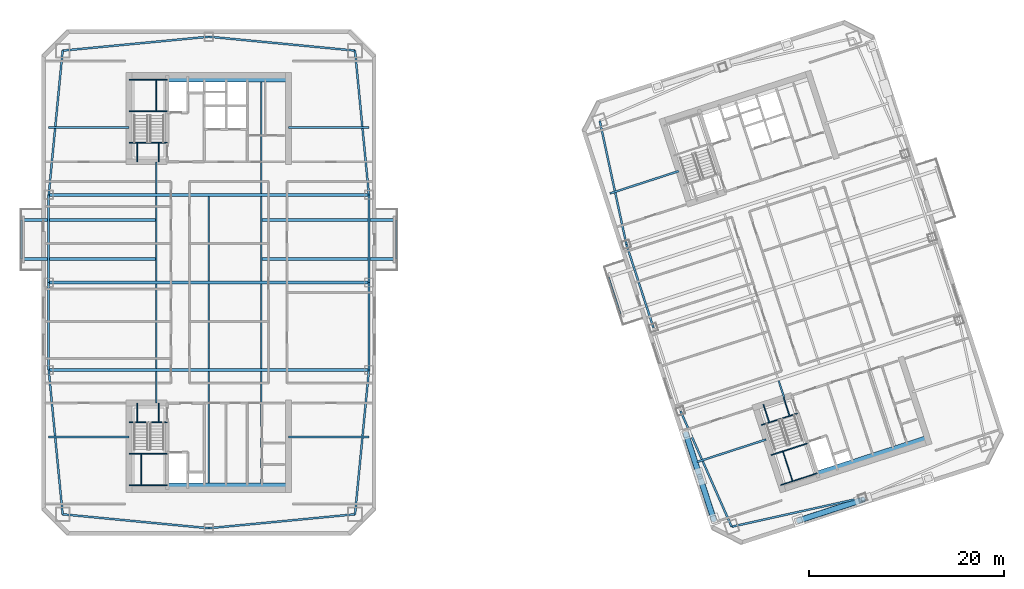
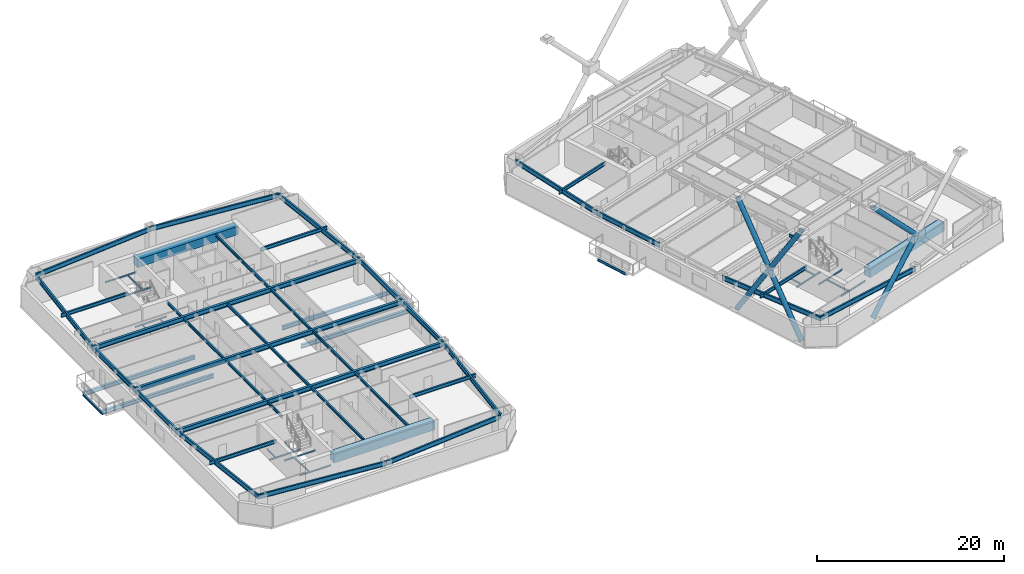
# One storey, part 3 of 17: 65 beams, 6 members.
"""IFC4 building model written with IfcOpenShell, lengths in metres."""

import ifcopenshell
import ifcopenshell.guid

model = None  # the IFC model being written
_history = None  # IfcOwnerHistory: only IFC2X3 demands one
_inside = {}  # id of a spatial element -> (the spatial element, [elements in it])
_under = {}  # id of a project, library or spatial element -> (it, [spatial elements below it])
_declared = {}  # id of a project -> (the project, [libraries it declares])
_typed = {}  # id of a type object -> (the type object, [elements of that type])
_made_of = {}  # id of a material, layer set ... -> (it, [elements and type objects made of it])


def new_model(schema):
    """Start an empty IFC model of exactly this schema.

    Asked for "IFC4X3", IfcOpenShell would pick the latest addendum, in which some entities
    have other attributes; the version numbers below select the first issue.
    IFC2X3 requires an IfcOwnerHistory on every rooted entity: one is made here for all.
    """
    global model, _history
    if schema == "IFC4X3":
        model = ifcopenshell.file(schema_version=(4, 3, 0, 0))
    else:
        model = ifcopenshell.file(schema=schema)
    _inside.clear()
    _under.clear()
    _declared.clear()
    _typed.clear()
    _made_of.clear()
    _history = None
    if model.schema == "IFC2X3":
        org = make("IfcOrganization", Name="unknown")
        user = make(
            "IfcPersonAndOrganization",
            ThePerson=make("IfcPerson", FamilyName="unknown"),
            TheOrganization=org,
        )
        app = make(
            "IfcApplication",
            ApplicationDeveloper=org,
            Version="unknown",
            ApplicationFullName="unknown",
            ApplicationIdentifier="unknown",
        )
        _history = make(
            "IfcOwnerHistory",
            OwningUser=user,
            OwningApplication=app,
            ChangeAction="ADDED",
            CreationDate=0,
        )
    return model


def make(cls, **values):
    """One entity of the class cls with the attributes given. An attribute that is None is left unset."""
    return model.create_entity(
        cls, **{name: value for name, value in values.items() if value is not None}
    )


def rooted(cls, **values):
    """An entity with a GlobalId (a new one), such as an element, a storey or a relation."""
    return make(cls, GlobalId=ifcopenshell.guid.new(), OwnerHistory=_history, **values)


def si_unit(unit_type, name, prefix=None):
    """IfcSIUnit, for example si_unit("LENGTHUNIT", "METRE", prefix="MILLI")."""
    return make("IfcSIUnit", UnitType=unit_type, Prefix=prefix, Name=name)


def assignment(units):
    """IfcUnitAssignment: the units of a project."""
    return None if units is None else make("IfcUnitAssignment", Units=units)


def point(xyz):
    """IfcCartesianPoint."""
    return None if xyz is None else make("IfcCartesianPoint", Coordinates=xyz)


def direction(xyz):
    """IfcDirection."""
    return None if xyz is None else make("IfcDirection", DirectionRatios=xyz)


def frame(location, z_axis=None, x_axis=None):
    """IfcAxis2Placement3D, a coordinate frame: its origin and axes. An axis left out is left unset."""
    return make(
        "IfcAxis2Placement3D",
        Location=point(location),
        Axis=direction(z_axis),
        RefDirection=direction(x_axis),
    )


def frame_2d(location, x_axis=None):
    """IfcAxis2Placement2D, a coordinate frame in the plane: its origin and x axis."""
    return make(
        "IfcAxis2Placement2D", Location=point(location), RefDirection=direction(x_axis)
    )


def origin():
    """The frame at (0, 0, 0) with its axes left unset."""
    return frame((0.0, 0.0, 0.0))


def origin_2d():
    """The frame at (0, 0) in the plane with its x axis left unset."""
    return frame_2d((0.0, 0.0))


def place(relative_to, where):
    """IfcLocalPlacement: puts the frame where relative to a parent placement (None: the world)."""
    return make(
        "IfcLocalPlacement", PlacementRelTo=relative_to, RelativePlacement=where
    )


def context(
    kind, dimensions, precision=None, world=None, true_north=None, identifier=None
):
    """IfcGeometricRepresentationContext, for example the 3D "Model" context."""
    return make(
        "IfcGeometricRepresentationContext",
        ContextIdentifier=identifier,
        ContextType=kind,
        CoordinateSpaceDimension=dimensions,
        Precision=precision,
        WorldCoordinateSystem=world,
        TrueNorth=true_north,
    )


def subcontext(parent, identifier, kind, view, scale=None):
    """IfcGeometricRepresentationSubContext, for example "Body" below "Model"."""
    return make(
        "IfcGeometricRepresentationSubContext",
        ContextIdentifier=identifier,
        ContextType=kind,
        ParentContext=parent,
        TargetScale=scale,
        TargetView=view,
    )


def project(units=None, contexts=None):
    """IfcProject with its units and contexts."""
    return rooted(
        "IfcProject",
        Name="project",
        RepresentationContexts=contexts,
        UnitsInContext=assignment(units),
    )


def spatial(cls, under=None, at=None, **own):
    """A site, building, storey or space (cls), placed at a placement, below another one or the project."""
    s = rooted(cls, ObjectPlacement=at, **own)
    if under is not None:
        _under.setdefault(under.id(), (under, []))[1].append(s)
    return s


def profile(cls, at=None, kind="AREA", **sizes):
    """A parametric profile (cls). Its sizes go by their IFC names, for example OverallWidth=200.0."""
    return make(cls, ProfileType=kind, Position=at, **sizes)


def rectangle(**sizes):
    """IfcRectangleProfileDef."""
    return profile("IfcRectangleProfileDef", **sizes)


def hollow_circle(**sizes):
    """IfcCircleHollowProfileDef."""
    return profile("IfcCircleHollowProfileDef", **sizes)


def i_section(**sizes):
    """IfcIShapeProfileDef."""
    return profile("IfcIShapeProfileDef", **sizes)


def extrude(swept, where, along, depth):
    """IfcExtrudedAreaSolid: the profile swept, set in the frame where, extruded along a direction by depth."""
    return make(
        "IfcExtrudedAreaSolid",
        SweptArea=swept,
        Position=where,
        ExtrudedDirection=direction(along),
        Depth=depth,
    )


def shape(context_of_items, identifier, shape_type, items):
    """IfcShapeRepresentation: the items that make up one representation, for example the "Body"."""
    return make(
        "IfcShapeRepresentation",
        ContextOfItems=context_of_items,
        RepresentationIdentifier=identifier,
        RepresentationType=shape_type,
        Items=items,
    )


def material(Name=None, Category=None):
    """IfcMaterial."""
    return make("IfcMaterial", Name=Name, Category=Category)


def material_profile(
    of_material, cross_section, Name=None, Category=None, Priority=None
):
    """IfcMaterialProfile: a cross section and its material."""
    return make(
        "IfcMaterialProfile",
        Name=Name,
        Material=of_material,
        Profile=cross_section,
        Priority=Priority,
        Category=Category,
    )


def profile_set(profiles, Name=None, composite=None):
    """IfcMaterialProfileSet."""
    return make(
        "IfcMaterialProfileSet",
        Name=Name,
        MaterialProfiles=profiles,
        CompositeProfile=composite,
    )


def made_of(thing, what):
    """Note that an element or type object is made of a material, layer set ...; save() writes the relation."""
    if what is not None:
        _made_of.setdefault(what.id(), (what, []))[1].append(thing)
    return thing


def type_object(cls, material=None, **own):
    """A type object (cls), such as IfcWallType, which elements share."""
    return made_of(rooted(cls, **own), material)


def element(
    cls,
    number,
    at=None,
    inside=None,
    cuts=None,
    type_object=None,
    material=None,
    context=None,
    identifier="Body",
    shape_type=None,
    held_by="IfcProductDefinitionShape",
    body=None,
    shapes=None,
    **own,
):
    """One element of the class cls, such as IfcWall. Its Tag is "e" and its number.

    at: its placement. inside: the storey or other place that contains it. cuts: it is an
    opening in that element (IfcRelVoidsElement). A single representation is given by context,
    identifier, shape_type and body (its items); several are given by shapes. held_by: the class
    of the entity that holds the representations. save() writes the other relations.
    """
    e = rooted(cls, Tag="e%d" % number, ObjectPlacement=at, **own)
    if body is not None:
        shapes = [shape(context, identifier, shape_type, body)]
    if shapes is not None:
        e.Representation = make(held_by, Representations=shapes)
    if inside is not None:
        _inside.setdefault(inside.id(), (inside, []))[1].append(e)
    if cuts is not None:
        rooted(
            "IfcRelVoidsElement", RelatingBuildingElement=cuts, RelatedOpeningElement=e
        )
    if type_object is not None:
        _typed.setdefault(type_object.id(), (type_object, []))[1].append(e)
    return made_of(e, material)


def aggregate(whole, parts):
    """IfcRelAggregates: a whole, such as a stair, and the parts it consists of."""
    return rooted("IfcRelAggregates", RelatingObject=whole, RelatedObjects=parts)


def save(model, path):
    """Write the relations noted so far, then the file.

    IfcRelAggregates (storeys below a building ...), IfcRelContainedInSpatialStructure (elements
    in a storey), IfcRelDefinesByType, IfcRelAssociatesMaterial and IfcRelDeclares: one each for
    every whole, place, type object, material and project.
    """
    for whole, parts in _under.values():
        aggregate(whole, parts)
    for where, things in _inside.values():
        rooted(
            "IfcRelContainedInSpatialStructure",
            RelatedElements=things,
            RelatingStructure=where,
        )
    for kind, things in _typed.values():
        rooted("IfcRelDefinesByType", RelatedObjects=things, RelatingType=kind)
    for what, things in _made_of.values():
        rooted("IfcRelAssociatesMaterial", RelatedObjects=things, RelatingMaterial=what)
    for by, libraries in _declared.values():
        rooted("IfcRelDeclares", RelatingContext=by, RelatedDefinitions=libraries)
    model.write(path)


model = new_model("IFC4")

# Units and contexts
model_context = context("Model", 3, precision=1e-05, world=origin(), true_north=direction((0.0, 1.0)))
body_context = subcontext(model_context, "Body", "Model", "MODEL_VIEW")
ifc_project = project(units=[si_unit("LENGTHUNIT", "METRE"), si_unit("AREAUNIT", "SQUARE_METRE"), si_unit("VOLUMEUNIT", "CUBIC_METRE"), si_unit("PLANEANGLEUNIT", "RADIAN"), si_unit("MASSUNIT", "GRAM", prefix="KILO")], contexts=[model_context])

# Site, building, storey
site_placement = place(None, origin())
site = spatial("IfcSite", under=ifc_project, at=site_placement, CompositionType="ELEMENT")
building_placement = place(site_placement, origin())
building = spatial("IfcBuilding", under=site, at=building_placement, Name="Qiaolan Cultural Towers", CompositionType="ELEMENT")
storey_placement = place(building_placement, frame((0.0, 0.0, 177.10009765625)))
storey = spatial("IfcBuildingStorey", under=building, at=storey_placement, Name="L47", CompositionType="ELEMENT", Elevation=177.10009765625)

# Beams
ifc_material_1 = material(Name="Steel Q355B", Category="steel")
ifc_material_profile_1 = material_profile(ifc_material_1, i_section(OverallWidth=0.300048828125, OverallDepth=0.488037109375, WebThickness=0.010986328125, FlangeThickness=0.01806640625, at=origin_2d()), Name="HM488x300x11x18")
ifc_profile_set_1 = profile_set([ifc_material_profile_1], Name="Steel Q355B")
beam_type_1 = type_object("IfcBeamType", Name="BM-HM488x300x11x18", PredefinedType="BEAM", material=ifc_profile_set_1)
for number, where, z_axis, x_axis, name in (
    (1, (24.60009765625, 36.39990234375, -0.524169921875), (-1.0, 0.0, 0.0), (0.0, -1.0, 0.0), "L47 T1 Tree Balcony Back-Spanned Bracket Beam"),
    (2, (24.60009765625, 40.39990234375, -0.524169921875), (-1.0, 0.0, 0.0), (0.0, -1.0, 0.0), "L47 T1 Tree Balcony Back-Spanned Bracket Beam"),
    (3, (35.39990234375, 36.39990234375, -0.524169921875), (1.0, 0.0, 0.0), (0.0, 1.0, 0.0), "L47 T1 Tree Balcony Back-Spanned Bracket Beam"),
    (4, (35.39990234375, 40.39990234375, -0.524169921875), (1.0, 0.0, 0.0), (0.0, 1.0, 0.0), "L47 T1 Tree Balcony Back-Spanned Bracket Beam"),
):
    element("IfcBeam", number, at=place(storey_placement, frame(where, z_axis=z_axis, x_axis=x_axis)), inside=storey, type_object=beam_type_1, Name=name, PredefinedType="BEAM", context=body_context, shape_type="SweptSolid", body=[
        extrude(i_section(OverallWidth=0.300048828125, OverallDepth=0.488037109375, WebThickness=0.010986328125, FlangeThickness=0.01806640625, at=origin_2d()), origin(), (0.0, 0.0, 1.0), 13.85009765625),
    ])
ifc_material_2 = material(Name="Steel Q355B", Category="steel")
ifc_material_profile_2 = material_profile(ifc_material_2, i_section(OverallWidth=0.300048828125, OverallDepth=0.587890625, WebThickness=0.011962890625, FlangeThickness=0.02001953125, at=origin_2d()), Name="HM588x300x12x20")
ifc_profile_set_2 = profile_set([ifc_material_profile_2], Name="Steel Q355B")
beam_type_2 = type_object("IfcBeamType", Name="BM-HM588x300x12x20", PredefinedType="BEAM", material=ifc_profile_set_2)
for number, where, z_axis, x_axis, name in (
    (5, (13.550048828125, 25.0, 2.89599609375), (1.0, 0.0, 0.0), (0.0, 1.0, 0.0), "L47 T1 Primary Transverse Girder V1"),
    (6, (13.550048828125, 34.0, 2.89599609375), (1.0, 0.0, 0.0), (0.0, 1.0, 0.0), "L47 T1 Primary Transverse Girder V2"),
    (7, (13.550048828125, 43.0, 2.89599609375), (1.0, 0.0, 0.0), (0.0, 1.0, 0.0), "L47 T1 Primary Transverse Girder V3"),
):
    element("IfcBeam", number, at=place(storey_placement, frame(where, z_axis=z_axis, x_axis=x_axis)), inside=storey, type_object=beam_type_2, Name=name, PredefinedType="BEAM", context=body_context, shape_type="SweptSolid", body=[
        extrude(i_section(OverallWidth=0.300048828125, OverallDepth=0.587890625, WebThickness=0.011962890625, FlangeThickness=0.02001953125, at=origin_2d()), origin(), (0.0, 0.0, 1.0), 32.89990234375),
    ])
ifc_material_3 = material(Name="Steel Q355B", Category="steel")
ifc_material_profile_3 = material_profile(ifc_material_3, i_section(OverallWidth=0.175048828125, OverallDepth=0.35009765625, WebThickness=0.007080078125, FlangeThickness=0.010986328125, at=origin_2d()), Name="HN350x175x7x11")
ifc_profile_set_3 = profile_set([ifc_material_profile_3], Name="Steel Q355B")
beam_type_3 = type_object("IfcBeamType", Name="BM-JST-HN350x175x7x11", PredefinedType="JOIST", material=ifc_profile_set_3)
for number, where, z_axis, x_axis, name in (
    (8, (10.75, 36.39990234375, -0.524169921875), (0.0, 1.0, 0.0), (-1.0, 0.0, 0.0), "L47 T1 Tree Balcony Outer Edge Beam"),
    (9, (49.25, 36.39990234375, -0.524169921875), (0.0, 1.0, 0.0), (-1.0, 0.0, 0.0), "L47 T1 Tree Balcony Outer Edge Beam"),
    (10, (72.281982421875, 30.7666015625, -0.524169921875), (-0.309022586479, 0.951054699292, 0.0), (-0.951054699292, -0.309022586479, 0.0), "L47 T2 Tree Balcony Outer Edge Beam"),
):
    element("IfcBeam", number, at=place(storey_placement, frame(where, z_axis=z_axis, x_axis=x_axis)), inside=storey, type_object=beam_type_3, Name=name, PredefinedType="JOIST", context=body_context, shape_type="SweptSolid", body=[
        extrude(i_section(OverallWidth=0.175048828125, OverallDepth=0.35009765625, WebThickness=0.007080078125, FlangeThickness=0.010986328125, at=origin_2d()), origin(), (0.0, 0.0, 1.0), 4.0),
    ])
beam_1_placement = place(storey_placement, frame((24.60009765625, 21.60009765625, 3.014892578125), z_axis=(0.0, 1.0, 0.0), x_axis=(-1.0, 0.0, 0.0)))
element("IfcBeam", 11, at=beam_1_placement, inside=storey, type_object=beam_type_3, Name="L47 T1 Secondary Floor Joist U1-1", PredefinedType="JOIST", context=body_context, shape_type="SweptSolid", body=[
    extrude(i_section(OverallWidth=0.175048828125, OverallDepth=0.35009765625, WebThickness=0.007080078125, FlangeThickness=0.010986328125, at=origin_2d()), origin(), (0.0, 0.0, 1.0), 3.25),
])
for number, where, z_axis, x_axis, name in (
    (12, (24.60009765625, 25.14990234375, 3.014892578125), (0.0, 1.0, 0.0), (-1.0, 0.0, 0.0), "L47 T1 Secondary Floor Joist U1-2"),
    (13, (24.60009765625, 34.14990234375, 3.014892578125), (0.0, 1.0, 0.0), (-1.0, 0.0, 0.0), "L47 T1 Secondary Floor Joist U1-3"),
):
    element("IfcBeam", number, at=place(storey_placement, frame(where, z_axis=z_axis, x_axis=x_axis)), inside=storey, type_object=beam_type_3, Name=name, PredefinedType="JOIST", context=body_context, shape_type="SweptSolid", body=[
        extrude(i_section(OverallWidth=0.175048828125, OverallDepth=0.35009765625, WebThickness=0.007080078125, FlangeThickness=0.010986328125, at=origin_2d()), origin(), (0.0, 0.0, 1.0), 8.7001953125),
    ])
beam_2_placement = place(storey_placement, frame((24.60009765625, 43.14990234375, 3.014892578125), z_axis=(0.0, 1.0, 0.0), x_axis=(-1.0, 0.0, 0.0)))
element("IfcBeam", 14, at=beam_2_placement, inside=storey, type_object=beam_type_3, Name="L47 T1 Secondary Floor Joist U1-4", PredefinedType="JOIST", context=body_context, shape_type="SweptSolid", body=[
    extrude(i_section(OverallWidth=0.175048828125, OverallDepth=0.35009765625, WebThickness=0.007080078125, FlangeThickness=0.010986328125, at=origin_2d()), origin(), (0.0, 0.0, 1.0), 3.25),
])
beam_3_placement = place(storey_placement, frame((30.0, 13.39990234375, 3.014892578125), z_axis=(0.0, 1.0, 0.0), x_axis=(-1.0, 0.0, 0.0)))
element("IfcBeam", 15, at=beam_3_placement, inside=storey, type_object=beam_type_3, Name="L47 T1 Secondary Floor Joist U2-1", PredefinedType="JOIST", context=body_context, shape_type="SweptSolid", body=[
    extrude(i_section(OverallWidth=0.175048828125, OverallDepth=0.35009765625, WebThickness=0.007080078125, FlangeThickness=0.010986328125, at=origin_2d()), origin(), (0.0, 0.0, 1.0), 11.4501953125),
])
for number, where, z_axis, x_axis, name in (
    (16, (30.0, 25.14990234375, 3.014892578125), (0.0, 1.0, 0.0), (-1.0, 0.0, 0.0), "L47 T1 Secondary Floor Joist U2-2"),
    (17, (30.0, 34.14990234375, 3.014892578125), (0.0, 1.0, 0.0), (-1.0, 0.0, 0.0), "L47 T1 Secondary Floor Joist U2-3"),
):
    element("IfcBeam", number, at=place(storey_placement, frame(where, z_axis=z_axis, x_axis=x_axis)), inside=storey, type_object=beam_type_3, Name=name, PredefinedType="JOIST", context=body_context, shape_type="SweptSolid", body=[
        extrude(i_section(OverallWidth=0.175048828125, OverallDepth=0.35009765625, WebThickness=0.007080078125, FlangeThickness=0.010986328125, at=origin_2d()), origin(), (0.0, 0.0, 1.0), 8.7001953125),
    ])
beam_4_placement = place(storey_placement, frame((35.39990234375, 13.39990234375, 3.014892578125), z_axis=(0.0, 1.0, 0.0), x_axis=(-1.0, 0.0, 0.0)))
element("IfcBeam", 18, at=beam_4_placement, inside=storey, type_object=beam_type_3, Name="L47 T1 Secondary Floor Joist U3-1", PredefinedType="JOIST", context=body_context, shape_type="SweptSolid", body=[
    extrude(i_section(OverallWidth=0.175048828125, OverallDepth=0.35009765625, WebThickness=0.007080078125, FlangeThickness=0.010986328125, at=origin_2d()), origin(), (0.0, 0.0, 1.0), 11.4501953125),
])
for number, where, z_axis, x_axis, name in (
    (19, (35.39990234375, 25.14990234375, 3.014892578125), (0.0, 1.0, 0.0), (-1.0, 0.0, 0.0), "L47 T1 Secondary Floor Joist U3-2"),
    (20, (35.39990234375, 34.14990234375, 3.014892578125), (0.0, 1.0, 0.0), (-1.0, 0.0, 0.0), "L47 T1 Secondary Floor Joist U3-3"),
):
    element("IfcBeam", number, at=place(storey_placement, frame(where, z_axis=z_axis, x_axis=x_axis)), inside=storey, type_object=beam_type_3, Name=name, PredefinedType="JOIST", context=body_context, shape_type="SweptSolid", body=[
        extrude(i_section(OverallWidth=0.175048828125, OverallDepth=0.35009765625, WebThickness=0.007080078125, FlangeThickness=0.010986328125, at=origin_2d()), origin(), (0.0, 0.0, 1.0), 8.7001953125),
    ])
beam_5_placement = place(storey_placement, frame((35.39990234375, 43.14990234375, 3.014892578125), z_axis=(0.0, 1.0, 0.0), x_axis=(-1.0, 0.0, 0.0)))
element("IfcBeam", 21, at=beam_5_placement, inside=storey, type_object=beam_type_3, Name="L47 T1 Secondary Floor Joist U3-4", PredefinedType="JOIST", context=body_context, shape_type="SweptSolid", body=[
    extrude(i_section(OverallWidth=0.175048828125, OverallDepth=0.35009765625, WebThickness=0.007080078125, FlangeThickness=0.010986328125, at=origin_2d()), origin(), (0.0, 0.0, 1.0), 11.4501953125),
])
beam_6_placement = place(storey_placement, frame((89.119384765625, 22.147705078125, 3.014892578125), z_axis=(-0.308933885266, 0.951083516067, 0.0), x_axis=(-0.951083516067, -0.308933885266, 0.0)))
element("IfcBeam", 22, at=beam_6_placement, inside=storey, type_object=beam_type_3, Name="L47 T2 Secondary Floor Joist U1-1", PredefinedType="JOIST", context=body_context, shape_type="SweptSolid", body=[
    extrude(i_section(OverallWidth=0.175048828125, OverallDepth=0.35009765625, WebThickness=0.007080078125, FlangeThickness=0.010986328125, at=origin_2d()), origin(), (0.0, 0.0, 1.0), 1.85009765625),
])
ifc_material_4 = material(Name="Steel Q355B", Category="steel")
ifc_material_profile_4 = material_profile(ifc_material_4, i_section(OverallWidth=0.199951171875, OverallDepth=0.449951171875, WebThickness=0.009033203125, FlangeThickness=0.013916015625, at=origin_2d()), Name="HN450x200x9x14")
ifc_profile_set_4 = profile_set([ifc_material_profile_4], Name="Steel Q355B")
beam_type_4 = type_object("IfcBeamType", Name="BM-LNT-HN450x200x9x14", PredefinedType="LINTEL", material=ifc_profile_set_4)
for number, where, z_axis, x_axis, name in (
    (23, (21.800048828125, 18.10009765625, 2.96484375), (-1.0, 0.0, 0.0), (0.0, -1.0, 0.0), "L47 T1 Core Flank Tie Lintel WS"),
    (24, (21.800048828125, 49.89990234375, 2.96484375), (-1.0, 0.0, 0.0), (0.0, -1.0, 0.0), "L47 T1 Core Flank Tie Lintel WN"),
    (25, (38.199951171875, 18.10009765625, 2.96484375), (1.0, 0.0, 0.0), (0.0, 1.0, 0.0), "L47 T1 Core Flank Tie Lintel ES"),
    (26, (38.199951171875, 49.89990234375, 2.96484375), (1.0, 0.0, 0.0), (0.0, 1.0, 0.0), "L47 T1 Core Flank Tie Lintel EN"),
):
    element("IfcBeam", number, at=place(storey_placement, frame(where, z_axis=z_axis, x_axis=x_axis)), inside=storey, type_object=beam_type_4, Name=name, PredefinedType="LINTEL", context=body_context, shape_type="SweptSolid", body=[
        extrude(i_section(OverallWidth=0.199951171875, OverallDepth=0.449951171875, WebThickness=0.009033203125, FlangeThickness=0.013916015625, at=origin_2d()), origin(), (0.0, 0.0, 1.0), 8.25),
    ])
beam_7_placement = place(storey_placement, frame((87.252685546875, 17.861083984375, 2.96484375), z_axis=(-0.951064407856, -0.308992705592, 0.0), x_axis=(0.308992705592, -0.951064407856, 0.0)))
element("IfcBeam", 27, at=beam_7_placement, inside=storey, type_object=beam_type_4, Name="L47 T2 Core Flank Tie Lintel WS", PredefinedType="LINTEL", context=body_context, shape_type="SweptSolid", body=[
    extrude(i_section(OverallWidth=0.199951171875, OverallDepth=0.449951171875, WebThickness=0.009033203125, FlangeThickness=0.013916015625, at=origin_2d()), origin(), (0.0, 0.0, 1.0), 7.449951171875),
])
beam_8_placement = place(storey_placement, frame((78.291259765625, 45.44189453125, 2.96484375), z_axis=(-0.951054777171, -0.309022346796, 0.0), x_axis=(0.309022346796, -0.951054777171, 0.0)))
element("IfcBeam", 28, at=beam_8_placement, inside=storey, type_object=beam_type_4, Name="L47 T2 Core Flank Tie Lintel WN", PredefinedType="LINTEL", context=body_context, shape_type="SweptSolid", body=[
    extrude(i_section(OverallWidth=0.199951171875, OverallDepth=0.449951171875, WebThickness=0.009033203125, FlangeThickness=0.013916015625, at=origin_2d()), origin(), (0.0, 0.0, 1.0), 7.4501953125),
])
ifc_material_5 = material(Name="Concrete C50", Category="concrete")
ifc_material_profile_5 = material_profile(ifc_material_5, rectangle(XDim=0.89990234375, YDim=1.10009765625, at=origin_2d()), Name="RC900x1100")
ifc_profile_set_5 = profile_set([ifc_material_profile_5], Name="Concrete C50")
beam_type_5 = type_object("IfcBeamType", Name="BM-RC900x1100", PredefinedType="BEAM", material=ifc_profile_set_5)
for number, where, z_axis, x_axis, name in (
    (29, (25.719970703125, 12.949951171875, 2.639892578125), (1.0, 0.0, 0.0), (0.0, 1.0, 0.0), "L47 T1 Core Header Girder S"),
    (30, (25.719970703125, 55.050048828125, 2.639892578125), (1.0, 0.0, 0.0), (0.0, 1.0, 0.0), "L47 T1 Core Header Girder N"),
):
    element("IfcBeam", number, at=place(storey_placement, frame(where, z_axis=z_axis, x_axis=x_axis)), inside=storey, type_object=beam_type_5, Name=name, PredefinedType="BEAM", context=body_context, shape_type="SweptSolid", body=[
        extrude(rectangle(XDim=0.89990234375, YDim=1.10009765625, at=origin_2d()), origin(), (0.0, 0.0, 1.0), 12.47998046875),
    ])
beam_9_placement = place(storey_placement, frame((92.572265625, 14.174560546875, 2.639892578125), z_axis=(0.951056266386, 0.309017763514, 0.0), x_axis=(-0.309017763514, 0.951056266386, 0.0)))
element("IfcBeam", 31, at=beam_9_placement, inside=storey, type_object=beam_type_5, Name="L47 T2 Core Header Girder S", PredefinedType="BEAM", context=body_context, shape_type="SweptSolid", body=[
    extrude(rectangle(XDim=0.89990234375, YDim=1.10009765625, at=origin_2d()), origin(), (0.0, 0.0, 1.0), 11.880126953125),
])
ifc_material_6 = material(Name="Steel Q355B", Category="steel")
ifc_material_profile_6 = material_profile(ifc_material_6, i_section(OverallWidth=0.199951171875, OverallDepth=0.60009765625, WebThickness=0.010986328125, FlangeThickness=0.01708984375, at=origin_2d()), Name="HN600x200x11x17")
ifc_profile_set_6 = profile_set([ifc_material_profile_6], Name="Steel Q355B")
beam_type_6 = type_object("IfcBeamType", Name="BM-SPD-HN600x200x11x17", PredefinedType="SPANDREL", material=ifc_profile_set_6)
for number, where, z_axis, x_axis, name in (
    (32, (14.97998046875, 10.179931640625, 2.889892578125), (0.995498889995, -0.094773203061, 0.0), (0.094773203061, 0.995498889995, 0.0), "L47 T1 Perimeter Spandrel Beam 1"),
    (33, (30.0, 8.75, 2.889892578125), (0.995498889995, 0.094773203061, 0.0), (-0.094773203061, 0.995498889995, 0.0), "L47 T1 Perimeter Spandrel Beam 2"),
):
    element("IfcBeam", number, at=place(storey_placement, frame(where, z_axis=z_axis, x_axis=x_axis)), inside=storey, type_object=beam_type_6, Name=name, PredefinedType="SPANDREL", context=body_context, shape_type="SweptSolid", body=[
        extrude(i_section(OverallWidth=0.199951171875, OverallDepth=0.60009765625, WebThickness=0.010986328125, FlangeThickness=0.01708984375, at=origin_2d()), origin(), (0.0, 0.0, 1.0), 15.087890625),
    ])
beam_10_placement = place(storey_placement, frame((45.02001953125, 10.179931640625, 2.889892578125), z_axis=(0.096040159186, 0.995377459974, 0.0), x_axis=(-0.995377459974, 0.096040159186, 0.0)))
element("IfcBeam", 34, at=beam_10_placement, inside=storey, type_object=beam_type_6, Name="L47 T1 Perimeter Spandrel Beam 3", PredefinedType="SPANDREL", context=body_context, shape_type="SweptSolid", body=[
    extrude(i_section(OverallWidth=0.199951171875, OverallDepth=0.60009765625, WebThickness=0.010986328125, FlangeThickness=0.01708984375, at=origin_2d()), origin(), (0.0, 0.0, 1.0), 14.888916015625),
])
for number, where, z_axis, x_axis, name in (
    (35, (46.449951171875, 25.0, 2.889892578125), (0.0, 1.0, 0.0), (-1.0, 0.0, 0.0), "L47 T1 Perimeter Spandrel Beam 4"),
    (36, (46.449951171875, 34.0, 2.889892578125), (0.0, 1.0, 0.0), (-1.0, 0.0, 0.0), "L47 T1 Perimeter Spandrel Beam 5"),
):
    element("IfcBeam", number, at=place(storey_placement, frame(where, z_axis=z_axis, x_axis=x_axis)), inside=storey, type_object=beam_type_6, Name=name, PredefinedType="SPANDREL", context=body_context, shape_type="SweptSolid", body=[
        extrude(i_section(OverallWidth=0.199951171875, OverallDepth=0.60009765625, WebThickness=0.010986328125, FlangeThickness=0.01708984375, at=origin_2d()), origin(), (0.0, 0.0, 1.0), 9.0),
    ])
beam_11_placement = place(storey_placement, frame((46.449951171875, 43.0, 2.889892578125), z_axis=(-0.096040159186, 0.995377459974, 0.0), x_axis=(-0.995377459974, -0.096040159186, 0.0)))
element("IfcBeam", 37, at=beam_11_placement, inside=storey, type_object=beam_type_6, Name="L47 T1 Perimeter Spandrel Beam 6", PredefinedType="SPANDREL", context=body_context, shape_type="SweptSolid", body=[
    extrude(i_section(OverallWidth=0.199951171875, OverallDepth=0.60009765625, WebThickness=0.010986328125, FlangeThickness=0.01708984375, at=origin_2d()), origin(), (0.0, 0.0, 1.0), 14.888916015625),
])
for number, where, z_axis, x_axis, name in (
    (38, (45.02001953125, 57.820068359375, 2.889892578125), (-0.995498889995, 0.094773203061, 0.0), (-0.094773203061, -0.995498889995, 0.0), "L47 T1 Perimeter Spandrel Beam 7"),
    (39, (30.0, 59.25, 2.889892578125), (-0.995498889995, -0.094773203061, 0.0), (0.094773203061, -0.995498889995, 0.0), "L47 T1 Perimeter Spandrel Beam 8"),
):
    element("IfcBeam", number, at=place(storey_placement, frame(where, z_axis=z_axis, x_axis=x_axis)), inside=storey, type_object=beam_type_6, Name=name, PredefinedType="SPANDREL", context=body_context, shape_type="SweptSolid", body=[
        extrude(i_section(OverallWidth=0.199951171875, OverallDepth=0.60009765625, WebThickness=0.010986328125, FlangeThickness=0.01708984375, at=origin_2d()), origin(), (0.0, 0.0, 1.0), 15.087890625),
    ])
beam_12_placement = place(storey_placement, frame((14.97998046875, 57.820068359375, 2.889892578125), z_axis=(-0.096040159186, -0.995377459974, 0.0), x_axis=(0.995377459974, -0.096040159186, 0.0)))
element("IfcBeam", 40, at=beam_12_placement, inside=storey, type_object=beam_type_6, Name="L47 T1 Perimeter Spandrel Beam 9", PredefinedType="SPANDREL", context=body_context, shape_type="SweptSolid", body=[
    extrude(i_section(OverallWidth=0.199951171875, OverallDepth=0.60009765625, WebThickness=0.010986328125, FlangeThickness=0.01708984375, at=origin_2d()), origin(), (0.0, 0.0, 1.0), 14.888916015625),
])
for number, where, z_axis, x_axis, name in (
    (41, (13.550048828125, 43.0, 2.889892578125), (0.0, -1.0, 0.0), (1.0, 0.0, 0.0), "L47 T1 Perimeter Spandrel Beam 10"),
    (42, (13.550048828125, 34.0, 2.889892578125), (0.0, -1.0, 0.0), (1.0, 0.0, 0.0), "L47 T1 Perimeter Spandrel Beam 11"),
):
    element("IfcBeam", number, at=place(storey_placement, frame(where, z_axis=z_axis, x_axis=x_axis)), inside=storey, type_object=beam_type_6, Name=name, PredefinedType="SPANDREL", context=body_context, shape_type="SweptSolid", body=[
        extrude(i_section(OverallWidth=0.199951171875, OverallDepth=0.60009765625, WebThickness=0.010986328125, FlangeThickness=0.01708984375, at=origin_2d()), origin(), (0.0, 0.0, 1.0), 9.0),
    ])
beam_13_placement = place(storey_placement, frame((13.550048828125, 25.0, 2.889892578125), z_axis=(0.096040159186, -0.995377459974, 0.0), x_axis=(0.995377459974, 0.096040159186, 0.0)))
element("IfcBeam", 43, at=beam_13_placement, inside=storey, type_object=beam_type_6, Name="L47 T1 Perimeter Spandrel Beam 12", PredefinedType="SPANDREL", context=body_context, shape_type="SweptSolid", body=[
    extrude(i_section(OverallWidth=0.199951171875, OverallDepth=0.60009765625, WebThickness=0.010986328125, FlangeThickness=0.01708984375, at=origin_2d()), origin(), (0.0, 0.0, 1.0), 14.888916015625),
])
beam_14_placement = place(storey_placement, frame((83.71875, 8.900634765625, 2.889892578125), z_axis=(0.976265293399, 0.216578108094, 0.0), x_axis=(-0.216578108094, 0.976265293399, 0.0)))
element("IfcBeam", 44, at=beam_14_placement, inside=storey, type_object=beam_type_6, Name="L47 T2 Perimeter Spandrel Beam 1", PredefinedType="SPANDREL", context=body_context, shape_type="SweptSolid", body=[
    extrude(i_section(OverallWidth=0.199951171875, OverallDepth=0.60009765625, WebThickness=0.010986328125, FlangeThickness=0.01708984375, at=origin_2d()), origin(), (0.0, 0.0, 1.0), 13.793212890625),
])
beam_15_placement = place(storey_placement, frame((70.165283203125, 50.61376953125, 2.889892578125), z_axis=(0.210832241173, -0.977522258612, 0.0), x_axis=(0.977522258612, 0.210832241173, 0.0)))
element("IfcBeam", 45, at=beam_15_placement, inside=storey, type_object=beam_type_6, Name="L47 T2 Perimeter Spandrel Beam 9", PredefinedType="SPANDREL", context=body_context, shape_type="SweptSolid", body=[
    extrude(i_section(OverallWidth=0.199951171875, OverallDepth=0.60009765625, WebThickness=0.010986328125, FlangeThickness=0.01708984375, at=origin_2d()), origin(), (0.0, 0.0, 1.0), 12.997314453125),
])
beam_16_placement = place(storey_placement, frame((72.905517578125, 37.90869140625, 2.889892578125), z_axis=(0.309008170129, -0.951059383421, 0.0), x_axis=(0.951059383421, 0.309008170129, 0.0)))
element("IfcBeam", 46, at=beam_16_placement, inside=storey, type_object=beam_type_6, Name="L47 T2 Perimeter Spandrel Beam 10", PredefinedType="SPANDREL", context=body_context, shape_type="SweptSolid", body=[
    extrude(i_section(OverallWidth=0.199951171875, OverallDepth=0.60009765625, WebThickness=0.010986328125, FlangeThickness=0.01708984375, at=origin_2d()), origin(), (0.0, 0.0, 1.0), 8.999755859375),
])
beam_17_placement = place(storey_placement, frame((78.4677734375, 20.789794921875, 2.889892578125), z_axis=(0.404011070002, -0.914754095545, 0.0), x_axis=(0.914754095545, 0.404011070002, 0.0)))
element("IfcBeam", 47, at=beam_17_placement, inside=storey, type_object=beam_type_6, Name="L47 T2 Perimeter Spandrel Beam 12", PredefinedType="SPANDREL", context=body_context, shape_type="SweptSolid", body=[
    extrude(i_section(OverallWidth=0.199951171875, OverallDepth=0.60009765625, WebThickness=0.010986328125, FlangeThickness=0.01708984375, at=origin_2d()), origin(), (0.0, 0.0, 1.0), 12.9970703125),
])
ifc_material_7 = material(Name="Steel Q355B", Category="steel")
ifc_material_profile_7 = material_profile(ifc_material_7, i_section(OverallWidth=0.10009765625, OverallDepth=0.199951171875, WebThickness=0.005615234375, FlangeThickness=0.008056640625, at=origin_2d()), Name="HN200x100x5.5x8")
ifc_profile_set_7 = profile_set([ifc_material_profile_7], Name="Steel Q355B")
beam_type_7 = type_object("IfcBeamType", Name="BM-STTRIM-200", PredefinedType="BEAM", material=ifc_profile_set_7)
beam_18_placement = place(storey_placement, frame((21.800048828125, 19.659912109375, -0.460205078125), z_axis=(1.0, 0.0, 0.0), x_axis=(0.0, 1.0, 0.0)))
element("IfcBeam", 48, at=beam_18_placement, inside=storey, type_object=beam_type_7, Name="L47 ST-W1 Floor Landing Header Beam", PredefinedType="BEAM", context=body_context, shape_type="SweptSolid", body=[
    extrude(i_section(OverallWidth=0.10009765625, OverallDepth=0.199951171875, WebThickness=0.005615234375, FlangeThickness=0.008056640625, at=origin_2d()), origin(), (0.0, 0.0, 1.0), 3.919921875),
])
for number, where, z_axis, x_axis, name in (
    (49, (22.64990234375, 21.60009765625, -0.460205078125), (0.0, -1.0, 0.0), (1.0, 0.0, 0.0), "L47 ST-W1 Floor Landing Stringer 1"),
    (50, (24.85009765625, 21.60009765625, -0.460205078125), (0.0, -1.0, 0.0), (1.0, 0.0, 0.0), "L47 ST-W1 Floor Landing Stringer 2"),
):
    element("IfcBeam", number, at=place(storey_placement, frame(where, z_axis=z_axis, x_axis=x_axis)), inside=storey, type_object=beam_type_7, Name=name, PredefinedType="BEAM", context=body_context, shape_type="SweptSolid", body=[
        extrude(i_section(OverallWidth=0.10009765625, OverallDepth=0.199951171875, WebThickness=0.005615234375, FlangeThickness=0.008056640625, at=origin_2d()), origin(), (0.0, 0.0, 1.0), 1.940185546875),
    ])
for number, where, z_axis, x_axis, name in (
    (51, (21.800048828125, 16.411376953125, 1.4248046875), (1.0, 0.0, 0.0), (0.0, 1.0, 0.0), "L47 ST-W1 Stair Landing Support Beam 1-1"),
    (52, (21.800048828125, 13.179931640625, 1.4248046875), (1.0, 0.0, 0.0), (0.0, 1.0, 0.0), "L47 ST-W1 Stair Landing Support Beam 1-2"),
):
    element("IfcBeam", number, at=place(storey_placement, frame(where, z_axis=z_axis, x_axis=x_axis)), inside=storey, type_object=beam_type_7, Name=name, PredefinedType="BEAM", context=body_context, shape_type="SweptSolid", body=[
        extrude(i_section(OverallWidth=0.10009765625, OverallDepth=0.199951171875, WebThickness=0.005615234375, FlangeThickness=0.008056640625, at=origin_2d()), origin(), (0.0, 0.0, 1.0), 3.919921875),
    ])
beam_19_placement = place(storey_placement, frame((23.070068359375, 16.411376953125, 1.4248046875), z_axis=(0.0, -1.0, 0.0), x_axis=(1.0, 0.0, 0.0)))
element("IfcBeam", 53, at=beam_19_placement, inside=storey, type_object=beam_type_7, Name="L47 ST-W1 Stair Landing Trimmer 1", PredefinedType="BEAM", context=body_context, shape_type="SweptSolid", body=[
    extrude(i_section(OverallWidth=0.10009765625, OverallDepth=0.199951171875, WebThickness=0.005615234375, FlangeThickness=0.008056640625, at=origin_2d()), origin(), (0.0, 0.0, 1.0), 3.2314453125),
])
beam_20_placement = place(storey_placement, frame((21.800048828125, 48.340087890625, -0.460205078125), z_axis=(1.0, 0.0, 0.0), x_axis=(0.0, 1.0, 0.0)))
element("IfcBeam", 54, at=beam_20_placement, inside=storey, type_object=beam_type_7, Name="L47 ST-W2 Floor Landing Header Beam", PredefinedType="BEAM", context=body_context, shape_type="SweptSolid", body=[
    extrude(i_section(OverallWidth=0.10009765625, OverallDepth=0.199951171875, WebThickness=0.005615234375, FlangeThickness=0.008056640625, at=origin_2d()), origin(), (0.0, 0.0, 1.0), 3.919921875),
])
for number, where, z_axis, x_axis, name in (
    (55, (22.64990234375, 46.39990234375, -0.460205078125), (0.0, 1.0, 0.0), (-1.0, 0.0, 0.0), "L47 ST-W2 Floor Landing Stringer 1"),
    (56, (24.85009765625, 46.39990234375, -0.460205078125), (0.0, 1.0, 0.0), (-1.0, 0.0, 0.0), "L47 ST-W2 Floor Landing Stringer 2"),
):
    element("IfcBeam", number, at=place(storey_placement, frame(where, z_axis=z_axis, x_axis=x_axis)), inside=storey, type_object=beam_type_7, Name=name, PredefinedType="BEAM", context=body_context, shape_type="SweptSolid", body=[
        extrude(i_section(OverallWidth=0.10009765625, OverallDepth=0.199951171875, WebThickness=0.005615234375, FlangeThickness=0.008056640625, at=origin_2d()), origin(), (0.0, 0.0, 1.0), 1.940185546875),
    ])
for number, where, z_axis, x_axis, name in (
    (57, (21.800048828125, 51.588623046875, 1.4248046875), (1.0, 0.0, 0.0), (0.0, 1.0, 0.0), "L47 ST-W2 Stair Landing Support Beam 1-1"),
    (58, (21.800048828125, 54.820068359375, 1.4248046875), (1.0, 0.0, 0.0), (0.0, 1.0, 0.0), "L47 ST-W2 Stair Landing Support Beam 1-2"),
):
    element("IfcBeam", number, at=place(storey_placement, frame(where, z_axis=z_axis, x_axis=x_axis)), inside=storey, type_object=beam_type_7, Name=name, PredefinedType="BEAM", context=body_context, shape_type="SweptSolid", body=[
        extrude(i_section(OverallWidth=0.10009765625, OverallDepth=0.199951171875, WebThickness=0.005615234375, FlangeThickness=0.008056640625, at=origin_2d()), origin(), (0.0, 0.0, 1.0), 3.919921875),
    ])
beam_21_placement = place(storey_placement, frame((24.610107421875, 51.588623046875, 1.4248046875), z_axis=(0.0, 1.0, 0.0), x_axis=(-1.0, 0.0, 0.0)))
element("IfcBeam", 59, at=beam_21_placement, inside=storey, type_object=beam_type_7, Name="L47 ST-W2 Stair Landing Trimmer 1", PredefinedType="BEAM", context=body_context, shape_type="SweptSolid", body=[
    extrude(i_section(OverallWidth=0.10009765625, OverallDepth=0.199951171875, WebThickness=0.005615234375, FlangeThickness=0.008056640625, at=origin_2d()), origin(), (0.0, 0.0, 1.0), 3.2314453125),
])
beam_22_placement = place(storey_placement, frame((86.770751953125, 19.3447265625, -0.460205078125), z_axis=(0.951047798727, 0.309043823005, 0.0), x_axis=(-0.309043823005, 0.951047798727, 0.0)))
element("IfcBeam", 60, at=beam_22_placement, inside=storey, type_object=beam_type_7, Name="L47 ST-E1 Floor Landing Header Beam", PredefinedType="BEAM", context=body_context, shape_type="SweptSolid", body=[
    extrude(i_section(OverallWidth=0.10009765625, OverallDepth=0.199951171875, WebThickness=0.005615234375, FlangeThickness=0.008056640625, at=origin_2d()), origin(), (0.0, 0.0, 1.0), 3.919921875),
])
for number, where, z_axis, x_axis, name in (
    (61, (86.9794921875, 21.452392578125, -0.460205078125), (0.309083226701, -0.951034993558, 0.0), (0.951034993558, 0.309083226701, 0.0), "L47 ST-E1 Floor Landing Stringer 1"),
    (62, (89.07177734375, 22.13232421875, -0.460205078125), (0.309083226701, -0.951034993558, 0.0), (0.951034993558, 0.309083226701, 0.0), "L47 ST-E1 Floor Landing Stringer 2"),
):
    element("IfcBeam", number, at=place(storey_placement, frame(where, z_axis=z_axis, x_axis=x_axis)), inside=storey, type_object=beam_type_7, Name=name, PredefinedType="BEAM", context=body_context, shape_type="SweptSolid", body=[
        extrude(i_section(OverallWidth=0.10009765625, OverallDepth=0.199951171875, WebThickness=0.005615234375, FlangeThickness=0.008056640625, at=origin_2d()), origin(), (0.0, 0.0, 1.0), 1.93994140625),
    ])
for number, where, z_axis, x_axis, name in (
    (63, (87.774658203125, 16.255126953125, 1.4248046875), (0.951047798727, 0.309043823005, 0.0), (-0.309043823005, 0.951047798727, 0.0), "L47 ST-E1 Stair Landing Support Beam 1-1"),
    (64, (88.773193359375, 13.181884765625, 1.4248046875), (0.951047798727, 0.309043823005, 0.0), (-0.309043823005, 0.951047798727, 0.0), "L47 ST-E1 Stair Landing Support Beam 1-2"),
):
    element("IfcBeam", number, at=place(storey_placement, frame(where, z_axis=z_axis, x_axis=x_axis)), inside=storey, type_object=beam_type_7, Name=name, PredefinedType="BEAM", context=body_context, shape_type="SweptSolid", body=[
        extrude(i_section(OverallWidth=0.10009765625, OverallDepth=0.199951171875, WebThickness=0.005615234375, FlangeThickness=0.008056640625, at=origin_2d()), origin(), (0.0, 0.0, 1.0), 3.919921875),
    ])
beam_23_placement = place(storey_placement, frame((88.982421875, 16.6474609375, 1.4248046875), z_axis=(0.309033108495, -0.951051280349, 0.0), x_axis=(0.951051280349, 0.309033108495, 0.0)))
element("IfcBeam", 65, at=beam_23_placement, inside=storey, type_object=beam_type_7, Name="L47 ST-E1 Stair Landing Trimmer 1", PredefinedType="BEAM", context=body_context, shape_type="SweptSolid", body=[
    extrude(i_section(OverallWidth=0.10009765625, OverallDepth=0.199951171875, WebThickness=0.005615234375, FlangeThickness=0.008056640625, at=origin_2d()), origin(), (0.0, 0.0, 1.0), 3.231201171875),
])

# Members
ifc_material_8 = material(Name="Steel Q355B", Category="steel")
ifc_material_profile_8 = material_profile(ifc_material_8, hollow_circle(Radius=0.300048828125, WallThickness=0.030029296875, at=origin_2d()), Name="CHS600x30")
ifc_profile_set_8 = profile_set([ifc_material_profile_8], Name="Steel Q355B")
member_type = type_object("IfcMemberType", Name="MBR-BRC-CHS600x30", PredefinedType="BRACE", material=ifc_profile_set_8)
for number, where, z_axis, x_axis, name in (
    (66, (81.877685546875, 9.648193359375, 0.14990234375), (-0.166193246914, 0.511497049821, 0.843060242631), (-0.951057728941, -0.309013262209, 0.0), "T2 WEST Perimeter Frame Diagonal E-Z3-M4-D1A"),
    (67, (80.448486328125, 14.046875, 7.39990234375), (-0.166193246914, 0.511497049821, 0.843060242631), (-0.951057728941, -0.309013262209, 0.0), "T2 WEST Perimeter Frame Diagonal E-Z3-M4-D1B"),
    (68, (79.019287109375, 18.445556640625, 0.14990234375), (0.166193246914, -0.511497049821, 0.843060242631), (0.951057728941, 0.309013262209, 0.0), "T2 WEST Perimeter Frame Diagonal E-Z3-M4-D2A"),
    (69, (80.448486328125, 14.046875, 7.39990234375), (0.166193246914, -0.511497049821, 0.843060242631), (0.951057728941, 0.309013262209, 0.0), "T2 WEST Perimeter Frame Diagonal E-Z3-M4-D2B"),
):
    element("IfcMember", number, at=place(storey_placement, frame(where, z_axis=z_axis, x_axis=x_axis)), inside=storey, type_object=member_type, Name=name, PredefinedType="BRACE", context=body_context, shape_type="SweptSolid", body=[
        extrude(hollow_circle(Radius=0.300048828125, WallThickness=0.030029296875, at=origin_2d()), origin(), (0.0, 0.0, 1.0), 8.599609375),
    ])
for number, where, z_axis, x_axis, name in (
    (70, (90.589111328125, 9.53466796875, 0.14990234375), (0.660589648575, 0.214640761566, 0.71940993854), (-0.309019824916, 0.951055596592, 0.0), "T2 SOUTH Perimeter Frame Diagonal E-Z3-M4-D1A"),
    (71, (97.246337890625, 11.69775390625, 7.39990234375), (-0.660589648575, -0.214640761566, 0.71940993854), (0.309019824916, -0.951055596592, 0.0), "T2 SOUTH Perimeter Frame Diagonal E-Z3-M4-D2B"),
):
    element("IfcMember", number, at=place(storey_placement, frame(where, z_axis=z_axis, x_axis=x_axis)), inside=storey, type_object=member_type, Name=name, PredefinedType="BRACE", context=body_context, shape_type="SweptSolid", body=[
        extrude(hollow_circle(Radius=0.300048828125, WallThickness=0.030029296875, at=origin_2d()), origin(), (0.0, 0.0, 1.0), 10.07763671875),
    ])

save(model, "model.ifc")
